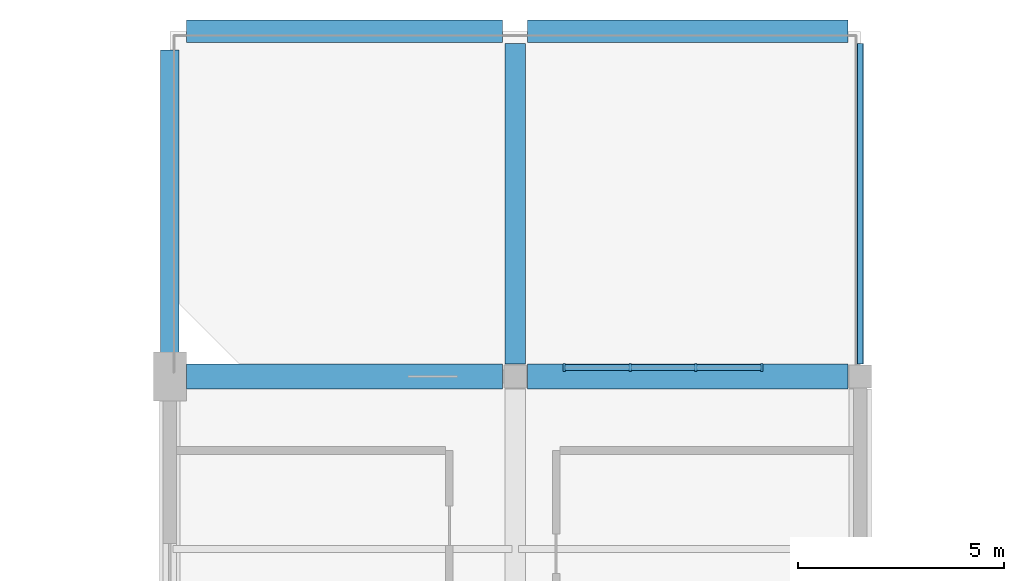
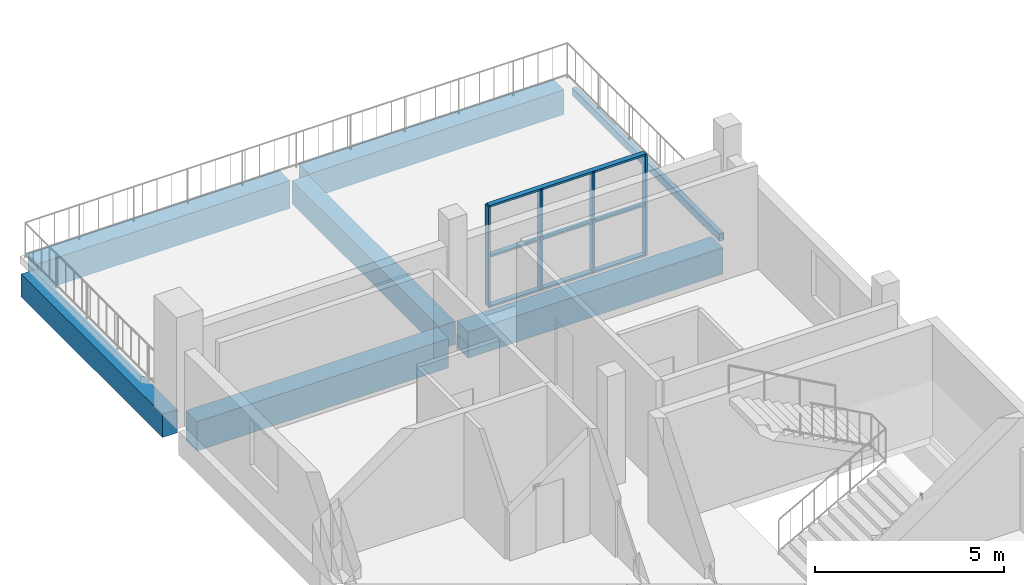
# One storey, part 7 of 26: 7 beams, 7 members, 1 element without a shape of its own.
"""IFC4 building model written with IfcOpenShell, lengths in metres."""

from ifc_helpers import new_model, si_unit, derived_unit, direction, frame, origin, origin_2d, place, context, subcontext, project, spatial, rectangle, hollow_rectangle, extrude, material, material_profile, profile_set, type_object, element, aggregate, save


model = new_model("IFC4")

# Units and contexts
model_context = context("Model", 3, precision=1e-05, world=origin(), true_north=direction((0.0, 1.0)))
body_context = subcontext(model_context, "Body", "Model", "MODEL_VIEW")
ifc_project = project(units=[si_unit("LENGTHUNIT", "METRE"), si_unit("AREAUNIT", "SQUARE_METRE"), si_unit("VOLUMEUNIT", "CUBIC_METRE"), si_unit("PLANEANGLEUNIT", "RADIAN"), si_unit("MASSUNIT", "GRAM", prefix="KILO"), derived_unit("THERMALTRANSMITTANCEUNIT", [(si_unit("POWERUNIT", "WATT"), 1), (si_unit("LENGTHUNIT", "METRE"), -2), (si_unit("THERMODYNAMICTEMPERATUREUNIT", "KELVIN"), -1)])], contexts=[model_context])

# Site, building, storey
site_placement = place(None, origin())
site = spatial("IfcSite", under=ifc_project, at=site_placement, CompositionType="ELEMENT")
building_placement = place(site_placement, origin())
building = spatial("IfcBuilding", under=site, at=building_placement, Name="Barrovel Congress Hotel", CompositionType="ELEMENT")
storey_placement = place(building_placement, frame((0.0, 0.0, 32.699951171875)))
storey = spatial("IfcBuildingStorey", under=building, at=storey_placement, Name="L08", CompositionType="ELEMENT", Elevation=32.699951171875)

# Beams
ifc_material_1 = material(Name="Concrete C40", Category="concrete")
ifc_material_profile_1 = material_profile(ifc_material_1, rectangle(XDim=0.449951171875, YDim=0.75, at=origin_2d()), Name="RC450x750")
ifc_profile_set_1 = profile_set([ifc_material_profile_1], Name="Concrete C40")
beam_type_1 = type_object("IfcBeamType", Name="BM-RC450x750", PredefinedType="BEAM", material=ifc_profile_set_1)
beam_1_placement = place(storey_placement, frame((33.60009765625, 71.85009765625, -0.594970703125), z_axis=(0.0, 1.0, 0.0), x_axis=(-1.0, 0.0, 0.0)))
element("IfcBeam", 1, at=beam_1_placement, inside=storey, type_object=beam_type_1, Name="BMY:L08:33.6:71.4-79.8", PredefinedType="BEAM", context=body_context, shape_type="SweptSolid", body=[
    extrude(rectangle(XDim=0.449951171875, YDim=0.75, at=origin_2d()), origin(), (0.0, 0.0, 1.0), 7.5),
])
ifc_material_profile_2 = material_profile(ifc_material_1, rectangle(XDim=0.5, YDim=0.75, at=origin_2d()), Name="RC500x750")
ifc_profile_set_2 = profile_set([ifc_material_profile_2], Name="Concrete C40")
beam_type_2 = type_object("IfcBeamType", Name="BM-RC500x750", PredefinedType="BEAM", material=ifc_profile_set_2)
beam_2_placement = place(storey_placement, frame((42.0, 71.699951171875, -0.594970703125), z_axis=(0.0, 1.0, 0.0), x_axis=(-1.0, 0.0, 0.0)))
element("IfcBeam", 2, at=beam_2_placement, inside=storey, type_object=beam_type_2, Name="BMY:L08:42.0:71.4-79.8", PredefinedType="BEAM", context=body_context, shape_type="SweptSolid", body=[
    extrude(rectangle(XDim=0.5, YDim=0.75, at=origin_2d()), origin(), (0.0, 0.0, 1.0), 7.800048828125),
])
ifc_material_profile_3 = material_profile(ifc_material_1, rectangle(XDim=0.550048828125, YDim=0.800048828125, at=origin_2d()), Name="RC550x800")
ifc_profile_set_3 = profile_set([ifc_material_profile_3], Name="Concrete C40")
beam_type_3 = type_object("IfcBeamType", Name="BM-RC550x800", PredefinedType="BEAM", material=ifc_profile_set_3)
beam_3_placement = place(storey_placement, frame((42.300048828125, 79.800048828125, -0.619873046875), z_axis=(1.0, 0.0, 0.0), x_axis=(0.0, 1.0, 0.0)))
element("IfcBeam", 3, at=beam_3_placement, inside=storey, type_object=beam_type_3, Name="BMX:L08:79.8:42.0-50.4", PredefinedType="BEAM", context=body_context, shape_type="SweptSolid", body=[
    extrude(rectangle(XDim=0.550048828125, YDim=0.800048828125, at=origin_2d()), origin(), (0.0, 0.0, 1.0), 7.800048828125),
])
ifc_material_profile_4 = material_profile(ifc_material_1, rectangle(XDim=0.550048828125, YDim=0.89990234375, at=origin_2d()), Name="RC550x900")
ifc_profile_set_4 = profile_set([ifc_material_profile_4], Name="Concrete C40")
beam_type_4 = type_object("IfcBeamType", Name="BM-RC550x900", PredefinedType="BEAM", material=ifc_profile_set_4)
beam_4_placement = place(storey_placement, frame((34.0, 79.800048828125, -0.669921875), z_axis=(1.0, 0.0, 0.0), x_axis=(0.0, 1.0, 0.0)))
element("IfcBeam", 4, at=beam_4_placement, inside=storey, type_object=beam_type_4, Name="BMX:L08:79.8:33.6-42.0", PredefinedType="BEAM", context=body_context, shape_type="SweptSolid", body=[
    extrude(rectangle(XDim=0.550048828125, YDim=0.89990234375, at=origin_2d()), origin(), (0.0, 0.0, 1.0), 7.699951171875),
])
ifc_material_profile_5 = material_profile(ifc_material_1, rectangle(XDim=0.60009765625, YDim=0.85009765625, at=origin_2d()), Name="RC600x850")
ifc_profile_set_5 = profile_set([ifc_material_profile_5], Name="Concrete C40")
beam_type_5 = type_object("IfcBeamType", Name="BM-RC600x850", PredefinedType="BEAM", material=ifc_profile_set_5)
beam_5_placement = place(storey_placement, frame((42.300048828125, 71.39990234375, -0.64501953125), z_axis=(1.0, 0.0, 0.0), x_axis=(0.0, 1.0, 0.0)))
element("IfcBeam", 5, at=beam_5_placement, inside=storey, type_object=beam_type_5, Name="BMX:L08:71.4:42.0-50.4", PredefinedType="BEAM", context=body_context, shape_type="SweptSolid", body=[
    extrude(rectangle(XDim=0.60009765625, YDim=0.85009765625, at=origin_2d()), origin(), (0.0, 0.0, 1.0), 7.800048828125),
])
ifc_material_profile_6 = material_profile(ifc_material_1, rectangle(XDim=0.60009765625, YDim=0.949951171875, at=origin_2d()), Name="RC600x950")
ifc_profile_set_6 = profile_set([ifc_material_profile_6], Name="Concrete C40")
beam_type_6 = type_object("IfcBeamType", Name="BM-RC600x950", PredefinedType="BEAM", material=ifc_profile_set_6)
beam_6_placement = place(storey_placement, frame((34.0, 71.39990234375, -0.695068359375), z_axis=(1.0, 0.0, 0.0), x_axis=(0.0, 1.0, 0.0)))
element("IfcBeam", 6, at=beam_6_placement, inside=storey, type_object=beam_type_6, Name="BMX:L08:71.4:33.6-42.0", PredefinedType="BEAM", context=body_context, shape_type="SweptSolid", body=[
    extrude(rectangle(XDim=0.60009765625, YDim=0.949951171875, at=origin_2d()), origin(), (0.0, 0.0, 1.0), 7.699951171875),
])

# Curtain wall, members
ifc_material_2 = material(Name="Anodised Aluminium Alloy 6063-T6", Category="aluminium")
curtain_wall_type = type_object("IfcCurtainWallType", Name="CW-UN-4800x3200", PredefinedType="USERDEFINED", material=ifc_material_2)
curtain_wall_placement = place(storey_placement, origin())
curtain_wall = element("IfcCurtainWall", 7, at=curtain_wall_placement, inside=storey, type_object=curtain_wall_type, Name="CW:L08:UN-2", ObjectType="UNITISED CURTAIN WALL", PredefinedType="USERDEFINED")
ifc_material_profile_7 = material_profile(ifc_material_2, rectangle(XDim=0.06494140625, YDim=0.18994140625, at=origin_2d()), Name="AL-M65x190")
ifc_profile_set_7 = profile_set([ifc_material_profile_7], Name="Anodised Aluminium Alloy 6063-T6")
member_type_1 = type_object("IfcMemberType", Name="CWM-AL-M65x190", PredefinedType="MULLION", material=ifc_profile_set_7)
member_1_placement = place(storey_placement, frame((43.199951171875, 71.6201171875, 0.0), z_axis=(0.0, 0.0, 1.0), x_axis=(1.0, 0.0, 0.0)))
member_1 = element("IfcMember", 8, at=member_1_placement, type_object=member_type_1, Name="CW:L08:UN-2:M0", PredefinedType="MULLION", context=body_context, shape_type="SweptSolid", body=[
    extrude(rectangle(XDim=0.06494140625, YDim=0.18994140625, at=origin_2d()), origin(), (0.0, 0.0, 1.0), 3.25),
])
member_2_placement = place(storey_placement, frame((44.800048828125, 71.6201171875, 0.0), z_axis=(0.0, 0.0, 1.0), x_axis=(1.0, 0.0, 0.0)))
member_2 = element("IfcMember", 9, at=member_2_placement, type_object=member_type_1, Name="CW:L08:UN-2:M1", PredefinedType="MULLION", context=body_context, shape_type="SweptSolid", body=[
    extrude(rectangle(XDim=0.06494140625, YDim=0.18994140625, at=origin_2d()), origin(), (0.0, 0.0, 1.0), 3.25),
])
member_3_placement = place(storey_placement, frame((46.39990234375, 71.6201171875, 0.0), z_axis=(0.0, 0.0, 1.0), x_axis=(1.0, 0.0, 0.0)))
member_3 = element("IfcMember", 10, at=member_3_placement, type_object=member_type_1, Name="CW:L08:UN-2:M2", PredefinedType="MULLION", context=body_context, shape_type="SweptSolid", body=[
    extrude(rectangle(XDim=0.06494140625, YDim=0.18994140625, at=origin_2d()), origin(), (0.0, 0.0, 1.0), 3.25),
])
member_4_placement = place(storey_placement, frame((48.0, 71.6201171875, 0.0), z_axis=(0.0, 0.0, 1.0), x_axis=(1.0, 0.0, 0.0)))
member_4 = element("IfcMember", 11, at=member_4_placement, type_object=member_type_1, Name="CW:L08:UN-2:M3", PredefinedType="MULLION", context=body_context, shape_type="SweptSolid", body=[
    extrude(rectangle(XDim=0.06494140625, YDim=0.18994140625, at=origin_2d()), origin(), (0.0, 0.0, 1.0), 3.25),
])
ifc_material_profile_8 = material_profile(ifc_material_2, rectangle(XDim=0.14990234375, YDim=0.06494140625, at=origin_2d()), Name="AL-T65x150")
ifc_profile_set_8 = profile_set([ifc_material_profile_8], Name="Anodised Aluminium Alloy 6063-T6")
member_type_2 = type_object("IfcMemberType", Name="CWT-AL-T65x150", PredefinedType="USERDEFINED", material=ifc_profile_set_8)
member_5_placement = place(storey_placement, frame((43.199951171875, 71.6201171875, 0.0), z_axis=(1.0, 0.0, 0.0), x_axis=(0.0, 1.0, 0.0)))
member_5 = element("IfcMember", 12, at=member_5_placement, type_object=member_type_2, Name="CW:L08:UN-2:T0", ObjectType="TRANSOM", PredefinedType="USERDEFINED", context=body_context, shape_type="SweptSolid", body=[
    extrude(rectangle(XDim=0.14990234375, YDim=0.06494140625, at=origin_2d()), origin(), (0.0, 0.0, 1.0), 4.800048828125),
])
member_6_placement = place(storey_placement, frame((43.199951171875, 71.6201171875, 1.625), z_axis=(1.0, 0.0, 0.0), x_axis=(0.0, 1.0, 0.0)))
member_6 = element("IfcMember", 13, at=member_6_placement, type_object=member_type_2, Name="CW:L08:UN-2:T1", ObjectType="TRANSOM", PredefinedType="USERDEFINED", context=body_context, shape_type="SweptSolid", body=[
    extrude(rectangle(XDim=0.14990234375, YDim=0.06494140625, at=origin_2d()), origin(), (0.0, 0.0, 1.0), 4.800048828125),
])
member_7_placement = place(storey_placement, frame((43.199951171875, 71.6201171875, 3.25), z_axis=(1.0, 0.0, 0.0), x_axis=(0.0, 1.0, 0.0)))
member_7 = element("IfcMember", 14, at=member_7_placement, type_object=member_type_2, Name="CW:L08:UN-2:T2", ObjectType="TRANSOM", PredefinedType="USERDEFINED", context=body_context, shape_type="SweptSolid", body=[
    extrude(rectangle(XDim=0.14990234375, YDim=0.06494140625, at=origin_2d()), origin(), (0.0, 0.0, 1.0), 4.800048828125),
])
aggregate(curtain_wall, [member_1, member_2, member_3, member_4, member_5, member_6, member_7])

# Beam
ifc_material_3 = material(Name="Steel ASTM A500 Grade C", Category="steel")
ifc_material_profile_9 = material_profile(ifc_material_3, hollow_rectangle(XDim=0.15234375, YDim=0.25390625, WallThickness=0.0087890625, InnerFilletRadius=0.0087890625, OuterFilletRadius=0.017578125, at=origin_2d()), Name="HSS254x152x9.5")
ifc_profile_set_9 = profile_set([ifc_material_profile_9], Name="Steel ASTM A500 Grade C")
beam_type_7 = type_object("IfcBeamType", Name="SBM-HSS254x152x9.5", PredefinedType="SPANDREL", material=ifc_profile_set_9)
beam_7_placement = place(storey_placement, frame((50.39990234375, 71.699951171875, -0.346923828125), z_axis=(0.0, 1.0, 0.0), x_axis=(-1.0, 0.0, 0.0)))
element("IfcBeam", 15, at=beam_7_placement, inside=storey, type_object=beam_type_7, Name="BMY:L08:50.4:71.4-79.8", PredefinedType="SPANDREL", context=body_context, shape_type="SweptSolid", body=[
    extrude(hollow_rectangle(XDim=0.15234375, YDim=0.25390625, WallThickness=0.0087890625, InnerFilletRadius=0.0087890625, OuterFilletRadius=0.017578125, at=origin_2d()), origin(), (0.0, 0.0, 1.0), 7.800048828125),
])

save(model, "model.ifc")
